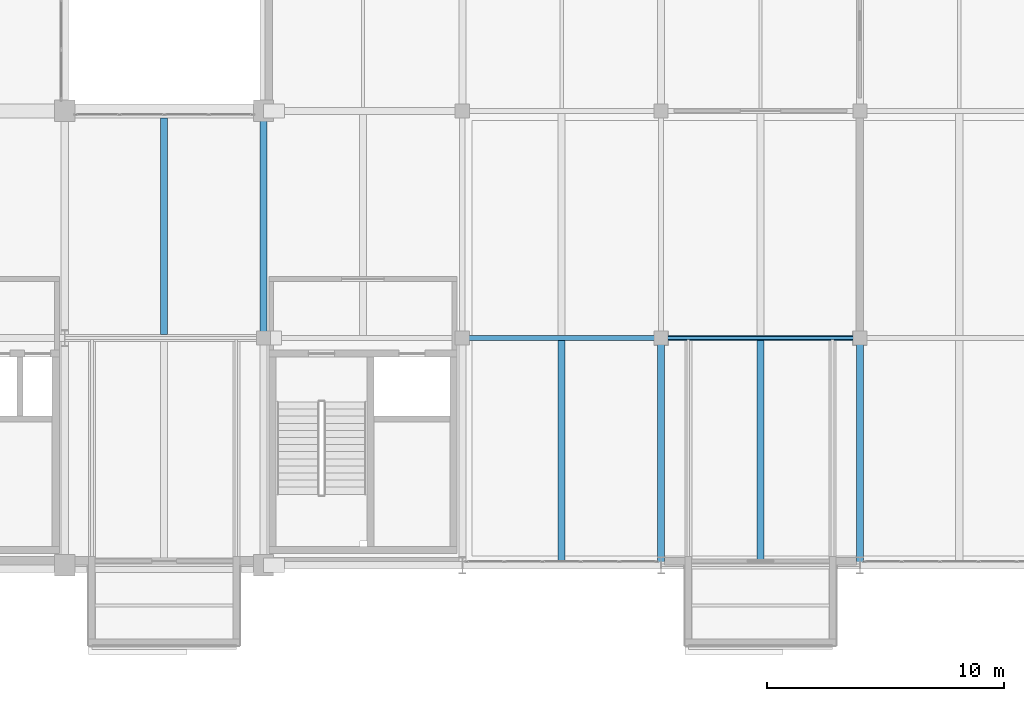
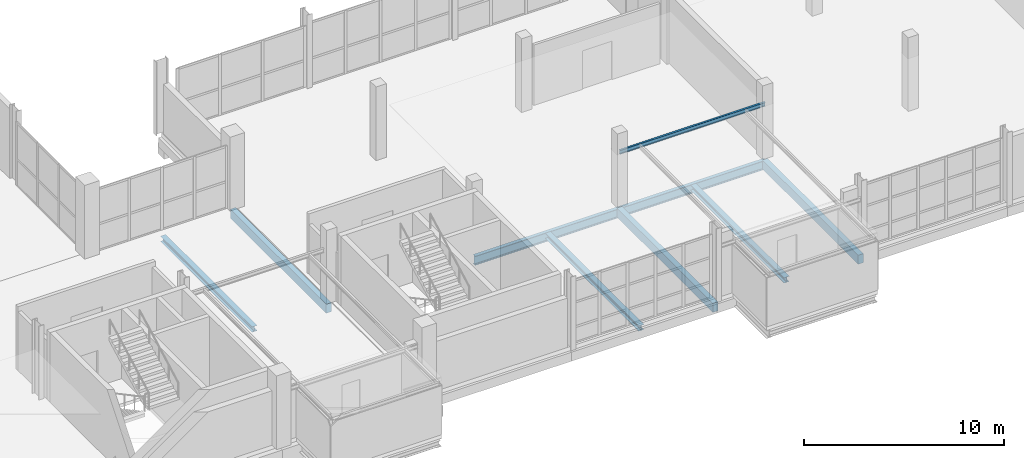
# One storey, part 36 of 113: 9 beams.
"""IFC4 building model written with IfcOpenShell, lengths in metres."""

from ifc_helpers import new_model, si_unit, direction, frame, origin, origin_2d, place, context, subcontext, project, spatial, rectangle, i_section, extrude, material, material_profile, profile_set, type_object, element, save


model = new_model("IFC4")

# Units and contexts
model_context = context("Model", 3, precision=1e-05, world=origin(), true_north=direction((0.0, 1.0)))
body_context = subcontext(model_context, "Body", "Model", "MODEL_VIEW")
ifc_project = project(units=[si_unit("LENGTHUNIT", "METRE"), si_unit("AREAUNIT", "SQUARE_METRE"), si_unit("VOLUMEUNIT", "CUBIC_METRE"), si_unit("PLANEANGLEUNIT", "RADIAN"), si_unit("MASSUNIT", "GRAM", prefix="KILO")], contexts=[model_context])

# Site, building, storey
site_placement = place(None, origin())
site = spatial("IfcSite", under=ifc_project, at=site_placement, CompositionType="ELEMENT")
building_placement = place(site_placement, origin())
building = spatial("IfcBuilding", under=site, at=building_placement, Name="Veltarok Museum of Natural Sciences", CompositionType="ELEMENT")
storey_placement = place(building_placement, frame((0.0, 0.0, 8.39990234375)))
storey = spatial("IfcBuildingStorey", under=building, at=storey_placement, Name="L01", CompositionType="ELEMENT", Elevation=8.39990234375)

# Beams
ifc_material_1 = material(Name="Steel S355J2", Category="steel")
ifc_material_profile_1 = material_profile(ifc_material_1, i_section(OverallWidth=0.2099609375, OverallDepth=0.550048828125, WebThickness=0.010986328125, FlangeThickness=0.01708984375, FilletRadius=0.02392578125, at=origin_2d()), Name="IPE 550")
ifc_profile_set_1 = profile_set([ifc_material_profile_1], Name="Steel S355J2")
beam_type_1 = type_object("IfcBeamType", Name="Archive Heavy Girder IPE 550", PredefinedType="BEAM", material=ifc_profile_set_1)
for number, where, z_axis, x_axis, name in (
    (1, (115.60009765625, 9.60009765625, -0.52490234375), (1.0, 0.0, 0.0), (0.0, 1.0, 0.0), "Beam BM-G03 L01 14-15/B"),
    (2, (124.0, 9.60009765625, -0.52490234375), (1.0, 0.0, 0.0), (0.0, 1.0, 0.0), "Beam BM-G03 L01 15-16/B"),
):
    element("IfcBeam", number, at=place(storey_placement, frame(where, z_axis=z_axis, x_axis=x_axis)), inside=storey, type_object=beam_type_1, Name=name, PredefinedType="BEAM", context=body_context, shape_type="SweptSolid", body=[
        extrude(i_section(OverallWidth=0.2099609375, OverallDepth=0.550048828125, WebThickness=0.010986328125, FlangeThickness=0.01708984375, FilletRadius=0.02392578125, at=origin_2d()), origin(), (0.0, 0.0, 1.0), 8.39990234375),
    ])
ifc_material_profile_2 = material_profile(ifc_material_1, i_section(OverallWidth=0.1201171875, OverallDepth=0.239990234375, WebThickness=0.006103515625, FlangeThickness=0.009765625, FilletRadius=0.014892578125, at=origin_2d()), Name="IPE 240")
ifc_profile_set_2 = profile_set([ifc_material_profile_2], Name="Steel S355J2")
beam_type_2 = type_object("IfcBeamType", Name="Cabinet Box Secondary Joist IPE 240", PredefinedType="JOIST", material=ifc_profile_set_2)
beam_1_placement = place(storey_placement, frame((124.0, 9.60009765625, 3.130126953125), z_axis=(1.0, 0.0, 0.0), x_axis=(0.0, 1.0, 0.0)))
element("IfcBeam", 3, at=beam_1_placement, inside=storey, type_object=beam_type_2, Name="Cabinet Roof Tie Beam DB-06-I", PredefinedType="JOIST", context=body_context, shape_type="SweptSolid", body=[
    extrude(i_section(OverallWidth=0.1201171875, OverallDepth=0.239990234375, WebThickness=0.006103515625, FlangeThickness=0.009765625, FilletRadius=0.014892578125, at=origin_2d()), origin(), (0.0, 0.0, 1.0), 8.39990234375),
])
ifc_material_2 = material(Name="Precast concrete C40/50", Category="concrete")
ifc_material_profile_3 = material_profile(ifc_material_2, rectangle(XDim=0.300048828125, YDim=0.550048828125, at=origin_2d()), Name="RC 300x550")
ifc_profile_set_3 = profile_set([ifc_material_profile_3], Name="Precast concrete C40/50")
beam_type_3 = type_object("IfcBeamType", Name="East Wing Precast Spandrel RC 300x550", PredefinedType="SPANDREL", material=ifc_profile_set_3)
beam_2_placement = place(storey_placement, frame((107.199951171875, 9.60009765625, -0.52490234375), z_axis=(0.0, 1.0, 0.0), x_axis=(-1.0, 0.0, 0.0)))
element("IfcBeam", 4, at=beam_2_placement, inside=storey, type_object=beam_type_3, Name="Beam BM-SP02 L01 13/B-C", PredefinedType="SPANDREL", context=body_context, shape_type="SweptSolid", body=[
    extrude(rectangle(XDim=0.300048828125, YDim=0.550048828125, at=origin_2d()), origin(), (0.0, 0.0, 1.0), 9.599853515625),
])
for number, where, z_axis, x_axis, name in (
    (5, (124.0, 0.0, -0.52490234375), (0.0, 1.0, 0.0), (-1.0, 0.0, 0.0), "Beam BM-SP02 L01 15/A-B"),
    (6, (132.39990234375, 0.0, -0.52490234375), (0.0, 1.0, 0.0), (-1.0, 0.0, 0.0), "Beam BM-SP02 L01 16/A-B"),
):
    element("IfcBeam", number, at=place(storey_placement, frame(where, z_axis=z_axis, x_axis=x_axis)), inside=storey, type_object=beam_type_3, Name=name, PredefinedType="SPANDREL", context=body_context, shape_type="SweptSolid", body=[
        extrude(rectangle(XDim=0.300048828125, YDim=0.550048828125, at=origin_2d()), origin(), (0.0, 0.0, 1.0), 9.60009765625),
    ])
ifc_material_profile_4 = material_profile(ifc_material_1, i_section(OverallWidth=0.300048828125, OverallDepth=0.330078125, WebThickness=0.009521484375, FlangeThickness=0.0166015625, FilletRadius=0.027099609375, at=origin_2d()), Name="HEA 340")
ifc_profile_set_4 = profile_set([ifc_material_profile_4], Name="Steel S355J2")
beam_type_4 = type_object("IfcBeamType", Name="Exhibition Floor Joist HEA 340", PredefinedType="JOIST", material=ifc_profile_set_4)
beam_3_placement = place(storey_placement, frame((103.0, 9.748046875, -0.414794921875), z_axis=(0.0, 1.0, 0.0), x_axis=(-1.0, 0.0, 0.0)))
element("IfcBeam", 7, at=beam_3_placement, inside=storey, type_object=beam_type_4, Name="Secondary Joist BM-J08 L01 12-13/B-C.1", PredefinedType="JOIST", context=body_context, shape_type="SweptSolid", body=[
    extrude(i_section(OverallWidth=0.300048828125, OverallDepth=0.330078125, WebThickness=0.009521484375, FlangeThickness=0.0166015625, FilletRadius=0.027099609375, at=origin_2d()), origin(), (0.0, 0.0, 1.0), 9.154052734375),
])
for number, where, z_axis, x_axis, name in (
    (8, (119.800048828125, 0.14794921875, -0.414794921875), (0.0, 1.0, 0.0), (-1.0, 0.0, 0.0), "Secondary Joist BM-J08 L01 14-15/A-B.1"),
    (9, (128.199951171875, 0.14794921875, -0.414794921875), (0.0, 1.0, 0.0), (-1.0, 0.0, 0.0), "Secondary Joist BM-J08 L01 15-16/A-B.1"),
):
    element("IfcBeam", number, at=place(storey_placement, frame(where, z_axis=z_axis, x_axis=x_axis)), inside=storey, type_object=beam_type_4, Name=name, PredefinedType="JOIST", context=body_context, shape_type="SweptSolid", body=[
        extrude(i_section(OverallWidth=0.300048828125, OverallDepth=0.330078125, WebThickness=0.009521484375, FlangeThickness=0.0166015625, FilletRadius=0.027099609375, at=origin_2d()), origin(), (0.0, 0.0, 1.0), 9.34912109375),
    ])

save(model, "model.ifc")
